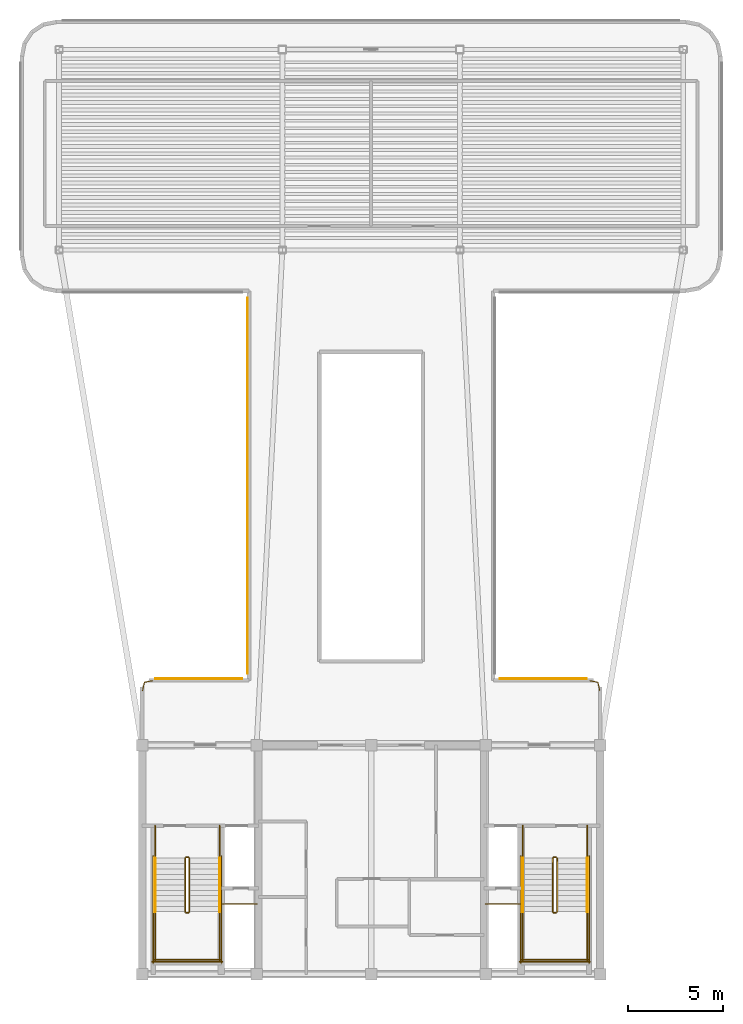
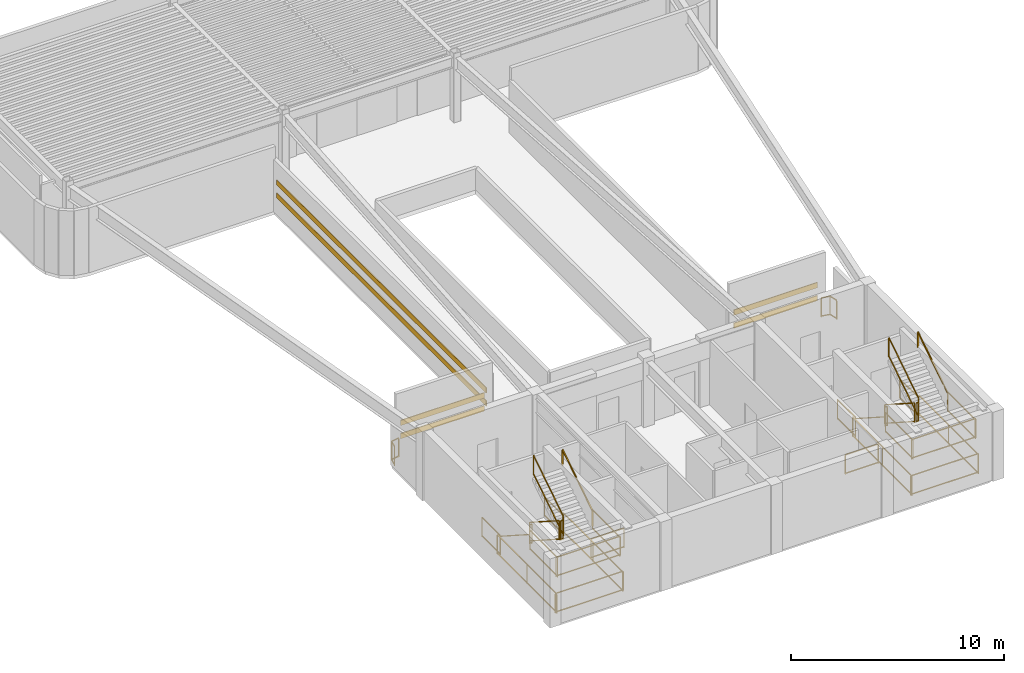
# One storey, part 5 of 6: 32 railings, 6 shading devices.
"""IFC4 building model written with IfcOpenShell, lengths in metres."""

import ifcopenshell
import ifcopenshell.guid

model = None  # the IFC model being written
_history = None  # IfcOwnerHistory: only IFC2X3 demands one
_inside = {}  # id of a spatial element -> (the spatial element, [elements in it])
_under = {}  # id of a project, library or spatial element -> (it, [spatial elements below it])
_declared = {}  # id of a project -> (the project, [libraries it declares])
_typed = {}  # id of a type object -> (the type object, [elements of that type])
_made_of = {}  # id of a material, layer set ... -> (it, [elements and type objects made of it])


def new_model(schema):
    """Start an empty IFC model of exactly this schema.

    Asked for "IFC4X3", IfcOpenShell would pick the latest addendum, in which some entities
    have other attributes; the version numbers below select the first issue.
    IFC2X3 requires an IfcOwnerHistory on every rooted entity: one is made here for all.
    """
    global model, _history
    if schema == "IFC4X3":
        model = ifcopenshell.file(schema_version=(4, 3, 0, 0))
    else:
        model = ifcopenshell.file(schema=schema)
    _inside.clear()
    _under.clear()
    _declared.clear()
    _typed.clear()
    _made_of.clear()
    _history = None
    if model.schema == "IFC2X3":
        org = make("IfcOrganization", Name="unknown")
        user = make(
            "IfcPersonAndOrganization",
            ThePerson=make("IfcPerson", FamilyName="unknown"),
            TheOrganization=org,
        )
        app = make(
            "IfcApplication",
            ApplicationDeveloper=org,
            Version="unknown",
            ApplicationFullName="unknown",
            ApplicationIdentifier="unknown",
        )
        _history = make(
            "IfcOwnerHistory",
            OwningUser=user,
            OwningApplication=app,
            ChangeAction="ADDED",
            CreationDate=0,
        )
    return model


def make(cls, **values):
    """One entity of the class cls with the attributes given. An attribute that is None is left unset."""
    return model.create_entity(
        cls, **{name: value for name, value in values.items() if value is not None}
    )


def rooted(cls, **values):
    """An entity with a GlobalId (a new one), such as an element, a storey or a relation."""
    return make(cls, GlobalId=ifcopenshell.guid.new(), OwnerHistory=_history, **values)


def si_unit(unit_type, name, prefix=None):
    """IfcSIUnit, for example si_unit("LENGTHUNIT", "METRE", prefix="MILLI")."""
    return make("IfcSIUnit", UnitType=unit_type, Prefix=prefix, Name=name)


def assignment(units):
    """IfcUnitAssignment: the units of a project."""
    return None if units is None else make("IfcUnitAssignment", Units=units)


def point(xyz):
    """IfcCartesianPoint."""
    return None if xyz is None else make("IfcCartesianPoint", Coordinates=xyz)


def direction(xyz):
    """IfcDirection."""
    return None if xyz is None else make("IfcDirection", DirectionRatios=xyz)


def frame(location, z_axis=None, x_axis=None):
    """IfcAxis2Placement3D, a coordinate frame: its origin and axes. An axis left out is left unset."""
    return make(
        "IfcAxis2Placement3D",
        Location=point(location),
        Axis=direction(z_axis),
        RefDirection=direction(x_axis),
    )


def frame_2d(location, x_axis=None):
    """IfcAxis2Placement2D, a coordinate frame in the plane: its origin and x axis."""
    return make(
        "IfcAxis2Placement2D", Location=point(location), RefDirection=direction(x_axis)
    )


def origin():
    """The frame at (0, 0, 0) with its axes left unset."""
    return frame((0.0, 0.0, 0.0))


def origin_2d():
    """The frame at (0, 0) in the plane with its x axis left unset."""
    return frame_2d((0.0, 0.0))


def place(relative_to, where):
    """IfcLocalPlacement: puts the frame where relative to a parent placement (None: the world)."""
    return make(
        "IfcLocalPlacement", PlacementRelTo=relative_to, RelativePlacement=where
    )


def context(
    kind, dimensions, precision=None, world=None, true_north=None, identifier=None
):
    """IfcGeometricRepresentationContext, for example the 3D "Model" context."""
    return make(
        "IfcGeometricRepresentationContext",
        ContextIdentifier=identifier,
        ContextType=kind,
        CoordinateSpaceDimension=dimensions,
        Precision=precision,
        WorldCoordinateSystem=world,
        TrueNorth=true_north,
    )


def subcontext(parent, identifier, kind, view, scale=None):
    """IfcGeometricRepresentationSubContext, for example "Body" below "Model"."""
    return make(
        "IfcGeometricRepresentationSubContext",
        ContextIdentifier=identifier,
        ContextType=kind,
        ParentContext=parent,
        TargetScale=scale,
        TargetView=view,
    )


def project(units=None, contexts=None):
    """IfcProject with its units and contexts."""
    return rooted(
        "IfcProject",
        Name="project",
        RepresentationContexts=contexts,
        UnitsInContext=assignment(units),
    )


def spatial(cls, under=None, at=None, **own):
    """A site, building, storey or space (cls), placed at a placement, below another one or the project."""
    s = rooted(cls, ObjectPlacement=at, **own)
    if under is not None:
        _under.setdefault(under.id(), (under, []))[1].append(s)
    return s


def profile(cls, at=None, kind="AREA", **sizes):
    """A parametric profile (cls). Its sizes go by their IFC names, for example OverallWidth=200.0."""
    return make(cls, ProfileType=kind, Position=at, **sizes)


def rectangle(**sizes):
    """IfcRectangleProfileDef."""
    return profile("IfcRectangleProfileDef", **sizes)


def extrude(swept, where, along, depth):
    """IfcExtrudedAreaSolid: the profile swept, set in the frame where, extruded along a direction by depth."""
    return make(
        "IfcExtrudedAreaSolid",
        SweptArea=swept,
        Position=where,
        ExtrudedDirection=direction(along),
        Depth=depth,
    )


def shape(context_of_items, identifier, shape_type, items):
    """IfcShapeRepresentation: the items that make up one representation, for example the "Body"."""
    return make(
        "IfcShapeRepresentation",
        ContextOfItems=context_of_items,
        RepresentationIdentifier=identifier,
        RepresentationType=shape_type,
        Items=items,
    )


def source(mapping_origin, context_of_items, identifier, shape_type, items):
    """IfcRepresentationMap: a shape defined once, which mapped items show again and again."""
    return make(
        "IfcRepresentationMap",
        MappingOrigin=mapping_origin,
        MappedRepresentation=shape(context_of_items, identifier, shape_type, items),
    )


def transform(
    local_origin,
    x_axis=None,
    y_axis=None,
    z_axis=None,
    scale=None,
    scale2=None,
    scale3=None,
    uniform=True,
):
    """IfcCartesianTransformationOperator3D, or its non-uniform kind. x_axis, y_axis, z_axis: its Axis1, 2, 3."""
    if uniform:
        return make(
            "IfcCartesianTransformationOperator3D",
            Axis1=direction(x_axis),
            Axis2=direction(y_axis),
            LocalOrigin=point(local_origin),
            Scale=scale,
            Axis3=direction(z_axis),
        )
    return make(
        "IfcCartesianTransformationOperator3DnonUniform",
        Axis1=direction(x_axis),
        Axis2=direction(y_axis),
        LocalOrigin=point(local_origin),
        Scale=scale,
        Axis3=direction(z_axis),
        Scale2=scale2,
        Scale3=scale3,
    )


def mapped(mapping_source, mapping_target):
    """IfcMappedItem: shows the shape of a source again, moved by a transform."""
    return make(
        "IfcMappedItem", MappingSource=mapping_source, MappingTarget=mapping_target
    )


def material(Name=None, Category=None):
    """IfcMaterial."""
    return make("IfcMaterial", Name=Name, Category=Category)


def layer(
    of_material, thickness, ventilated=None, Name=None, Category=None, Priority=None
):
    """IfcMaterialLayer: one layer of a wall or slab, of a material (None: an air gap)."""
    return make(
        "IfcMaterialLayer",
        Material=of_material,
        LayerThickness=thickness,
        IsVentilated=ventilated,
        Name=Name,
        Category=Category,
        Priority=Priority,
    )


def layer_set(layers, Name=None):
    """IfcMaterialLayerSet."""
    return make("IfcMaterialLayerSet", MaterialLayers=layers, LayerSetName=Name)


def material_profile(
    of_material, cross_section, Name=None, Category=None, Priority=None
):
    """IfcMaterialProfile: a cross section and its material."""
    return make(
        "IfcMaterialProfile",
        Name=Name,
        Material=of_material,
        Profile=cross_section,
        Priority=Priority,
        Category=Category,
    )


def profile_set(profiles, Name=None, composite=None):
    """IfcMaterialProfileSet."""
    return make(
        "IfcMaterialProfileSet",
        Name=Name,
        MaterialProfiles=profiles,
        CompositeProfile=composite,
    )


def made_of(thing, what):
    """Note that an element or type object is made of a material, layer set ...; save() writes the relation."""
    if what is not None:
        _made_of.setdefault(what.id(), (what, []))[1].append(thing)
    return thing


def type_object(cls, material=None, **own):
    """A type object (cls), such as IfcWallType, which elements share."""
    return made_of(rooted(cls, **own), material)


def element(
    cls,
    number,
    at=None,
    inside=None,
    cuts=None,
    type_object=None,
    material=None,
    context=None,
    identifier="Body",
    shape_type=None,
    held_by="IfcProductDefinitionShape",
    body=None,
    shapes=None,
    **own,
):
    """One element of the class cls, such as IfcWall. Its Tag is "e" and its number.

    at: its placement. inside: the storey or other place that contains it. cuts: it is an
    opening in that element (IfcRelVoidsElement). A single representation is given by context,
    identifier, shape_type and body (its items); several are given by shapes. held_by: the class
    of the entity that holds the representations. save() writes the other relations.
    """
    e = rooted(cls, Tag="e%d" % number, ObjectPlacement=at, **own)
    if body is not None:
        shapes = [shape(context, identifier, shape_type, body)]
    if shapes is not None:
        e.Representation = make(held_by, Representations=shapes)
    if inside is not None:
        _inside.setdefault(inside.id(), (inside, []))[1].append(e)
    if cuts is not None:
        rooted(
            "IfcRelVoidsElement", RelatingBuildingElement=cuts, RelatedOpeningElement=e
        )
    if type_object is not None:
        _typed.setdefault(type_object.id(), (type_object, []))[1].append(e)
    return made_of(e, material)


def aggregate(whole, parts):
    """IfcRelAggregates: a whole, such as a stair, and the parts it consists of."""
    return rooted("IfcRelAggregates", RelatingObject=whole, RelatedObjects=parts)


def save(model, path):
    """Write the relations noted so far, then the file.

    IfcRelAggregates (storeys below a building ...), IfcRelContainedInSpatialStructure (elements
    in a storey), IfcRelDefinesByType, IfcRelAssociatesMaterial and IfcRelDeclares: one each for
    every whole, place, type object, material and project.
    """
    for whole, parts in _under.values():
        aggregate(whole, parts)
    for where, things in _inside.values():
        rooted(
            "IfcRelContainedInSpatialStructure",
            RelatedElements=things,
            RelatingStructure=where,
        )
    for kind, things in _typed.values():
        rooted("IfcRelDefinesByType", RelatedObjects=things, RelatingType=kind)
    for what, things in _made_of.values():
        rooted("IfcRelAssociatesMaterial", RelatedObjects=things, RelatingMaterial=what)
    for by, libraries in _declared.values():
        rooted("IfcRelDeclares", RelatingContext=by, RelatedDefinitions=libraries)
    model.write(path)


model = new_model("IFC4")

# Units and contexts
model_context = context("Model", 3, precision=1e-05, world=origin(), true_north=direction((0.0, 1.0)))
body_context = subcontext(model_context, "Body", "Model", "MODEL_VIEW")
ifc_project = project(units=[si_unit("LENGTHUNIT", "METRE"), si_unit("AREAUNIT", "SQUARE_METRE"), si_unit("VOLUMEUNIT", "CUBIC_METRE"), si_unit("PLANEANGLEUNIT", "RADIAN"), si_unit("MASSUNIT", "GRAM", prefix="KILO")], contexts=[model_context])

# Site, building, storey
site_placement = place(None, origin())
site = spatial("IfcSite", under=ifc_project, at=site_placement, CompositionType="ELEMENT")
building_placement = place(site_placement, origin())
building = spatial("IfcBuilding", under=site, at=building_placement, Name="Brelvock Crest Care Tower", CompositionType="ELEMENT")
storey_placement = place(building_placement, frame((0.0, 0.0, 299.8798828125)))
storey = spatial("IfcBuildingStorey", under=building, at=storey_placement, Name="L76", CompositionType="ELEMENT", Elevation=299.8798828125)

# Railings
ifc_material_1 = material(Name="Steel Grade 350", Category="steel")
ifc_layer_1 = layer(ifc_material_1, 0.06005859375, Name="RL-GRD1")
ifc_layer_set_1 = layer_set([ifc_layer_1], Name="Steel Grade 350")
railing_type_1 = type_object("IfcRailingType", Name="RL-GRD1", PredefinedType="GUARDRAIL", material=ifc_layer_set_1)
railing_1_placement = place(storey_placement, frame((24.02001953125, 20.85009765625, 0.004150390625)))
element("IfcRailing", 1, at=railing_1_placement, inside=storey, type_object=railing_type_1, Name="L76 West Throat Corner Guard", PredefinedType="GUARDRAIL", context=body_context, shape_type="SweptSolid", body=[
    extrude(rectangle(XDim=0.048095703125, YDim=0.048095703125, at=origin_2d()), frame((0.00048828125, 0.001953125, 1.09619140625), z_axis=(0.21715477266, 0.976137185395, 0.0), x_axis=(-0.976137185395, 0.21715477266, 0.0)), (0.0, 0.0, 1.0), 0.45703125),
    extrude(rectangle(XDim=0.048095703125, YDim=0.048095703125, at=origin_2d()), frame((0.00048828125, 0.001953125, 0.054931640625), z_axis=(0.21715477266, 0.976137185395, 0.0), x_axis=(-0.976137185395, 0.21715477266, 0.0)), (0.0, 0.0, 1.0), 0.45703125),
    extrude(rectangle(XDim=0.048095703125, YDim=0.048095703125, at=origin_2d()), frame((0.10205078125, 0.4501953125, 1.09619140625), z_axis=(0.983193031384, 0.182569063749, 0.0), x_axis=(-0.182569063749, 0.983193031384, 0.0)), (0.0, 0.0, 1.0), 0.433349609375),
    extrude(rectangle(XDim=0.048095703125, YDim=0.048095703125, at=origin_2d()), frame((0.10205078125, 0.4501953125, 0.054931640625), z_axis=(0.983193031384, 0.182569063749, 0.0), x_axis=(-0.182569063749, 0.983193031384, 0.0)), (0.0, 0.0, 1.0), 0.433349609375),
    extrude(rectangle(XDim=0.0419921875, YDim=0.0419921875, at=origin_2d()), origin(), (0.0, 0.0, 1.0), 1.070068359375),
    extrude(rectangle(XDim=0.0419921875, YDim=0.0419921875, at=origin_2d()), frame((0.10009765625, 0.449951171875, 0.0)), (0.0, 0.0, 1.0), 1.070068359375),
    extrude(rectangle(XDim=0.0419921875, YDim=0.0419921875, at=origin_2d()), frame((0.530029296875, 0.52978515625, 0.0)), (0.0, 0.0, 1.0), 1.070068359375),
])
railing_2_placement = place(storey_placement, frame((47.449951171875, 21.3798828125, 0.004150390625)))
element("IfcRailing", 2, at=railing_2_placement, inside=storey, type_object=railing_type_1, Name="L76 East Throat Corner Guard", PredefinedType="GUARDRAIL", context=body_context, shape_type="SweptSolid", body=[
    extrude(rectangle(XDim=0.048095703125, YDim=0.048095703125, at=origin_2d()), frame((0.001953125, -0.000244140625, 1.09619140625), z_axis=(0.983193031384, -0.182569063749, 0.0), x_axis=(0.182569063749, 0.983193031384, 0.0)), (0.0, 0.0, 1.0), 0.433349609375),
    extrude(rectangle(XDim=0.048095703125, YDim=0.048095703125, at=origin_2d()), frame((0.001953125, -0.000244140625, 0.054931640625), z_axis=(0.983193031384, -0.182569063749, 0.0), x_axis=(0.182569063749, 0.983193031384, 0.0)), (0.0, 0.0, 1.0), 0.433349609375),
    extrude(rectangle(XDim=0.048095703125, YDim=0.048095703125, at=origin_2d()), frame((0.430419921875, -0.081787109375, 1.09619140625), z_axis=(0.21715477266, -0.976137185395, 0.0), x_axis=(0.976137185395, 0.21715477266, 0.0)), (0.0, 0.0, 1.0), 0.45703125),
    extrude(rectangle(XDim=0.048095703125, YDim=0.048095703125, at=origin_2d()), frame((0.430419921875, -0.081787109375, 0.054931640625), z_axis=(0.21715477266, -0.976137185395, 0.0), x_axis=(0.976137185395, 0.21715477266, 0.0)), (0.0, 0.0, 1.0), 0.45703125),
    extrude(rectangle(XDim=0.0419921875, YDim=0.0419921875, at=origin_2d()), origin(), (0.0, 0.0, 1.0), 1.070068359375),
    extrude(rectangle(XDim=0.0419921875, YDim=0.0419921875, at=origin_2d()), frame((0.429931640625, -0.079833984375, 0.0)), (0.0, 0.0, 1.0), 1.070068359375),
    extrude(rectangle(XDim=0.0419921875, YDim=0.0419921875, at=origin_2d()), frame((0.530029296875, -0.52978515625, 0.0)), (0.0, 0.0, 1.0), 1.070068359375),
])
ifc_layer_2 = layer(ifc_material_1, 0.050048828125, Name="RL-STG1")
ifc_layer_set_2 = layer_set([ifc_layer_2], Name="Steel Grade 350")
railing_type_2 = type_object("IfcRailingType", Name="RL-STG1", PredefinedType="GUARDRAIL", material=ifc_layer_set_2)
railing_3_placement = place(storey_placement, frame((26.260009765625, 12.080078125, 0.18017578125)))
element("IfcRailing", 3, at=railing_3_placement, inside=storey, type_object=railing_type_2, Name="L76 ST-1 stair guard 1", PredefinedType="GUARDRAIL", context=body_context, shape_type="SweptSolid", body=[
    extrude(rectangle(XDim=0.048095703125, YDim=0.048095703125, at=origin_2d()), frame((0.0, -0.001708984375, 1.116943359375), z_axis=(0.0, -0.841176092368, 0.540761298198), x_axis=(1.0, 0.0, 0.0)), (0.0, 0.0, 1.0), 3.32470703125),
    extrude(rectangle(XDim=0.048095703125, YDim=0.048095703125, at=origin_2d()), frame((0.0, -0.001708984375, 0.05615234375), z_axis=(0.0, -0.841176092368, 0.540761298198), x_axis=(1.0, 0.0, 0.0)), (0.0, 0.0, 1.0), 3.32470703125),
    extrude(rectangle(XDim=0.0419921875, YDim=0.0419921875, at=origin_2d()), origin(), (0.0, 0.0, 1.0), 1.08984375),
    extrude(rectangle(XDim=0.0419921875, YDim=0.0419921875, at=origin_2d()), frame((0.0, -2.800048828125, 1.800048828125)), (0.0, 0.0, 1.0), 1.08984375),
])
railing_4_placement = place(storey_placement, frame((26.31005859375, 9.22998046875, 1.980224609375)))
element("IfcRailing", 4, at=railing_4_placement, inside=storey, type_object=railing_type_2, Name="L76 ST-1 stair guard 2", PredefinedType="GUARDRAIL", context=body_context, shape_type="SweptSolid", body=[
    extrude(rectangle(XDim=0.048095703125, YDim=0.048095703125, at=origin_2d()), frame((0.001953125, 0.0, 1.11572265625), z_axis=(1.0, 0.0, 0.0), x_axis=(0.0, 1.0, 0.0)), (0.0, 0.0, 1.0), 0.115966796875),
    extrude(rectangle(XDim=0.048095703125, YDim=0.048095703125, at=origin_2d()), frame((0.001953125, 0.0, 0.054931640625), z_axis=(1.0, 0.0, 0.0), x_axis=(0.0, 1.0, 0.0)), (0.0, 0.0, 1.0), 0.115966796875),
    extrude(rectangle(XDim=0.0419921875, YDim=0.0419921875, at=origin_2d()), origin(), (0.0, 0.0, 1.0), 1.08984375),
    extrude(rectangle(XDim=0.0419921875, YDim=0.0419921875, at=origin_2d()), frame((0.119873046875, 0.0, 0.0)), (0.0, 0.0, 1.0), 1.08984375),
])
for number, where, name in (
    (5, (24.679931640625, 9.280029296875, 1.980224609375), "L76 ST-1 stair guard 3"),
    (6, (28.06005859375, 9.280029296875, 1.980224609375), "L76 ST-1 stair guard 4"),
):
    element("IfcRailing", number, at=place(storey_placement, frame(where)), inside=storey, type_object=railing_type_2, Name=name, PredefinedType="GUARDRAIL", context=body_context, shape_type="SweptSolid", body=[
        extrude(rectangle(XDim=0.048095703125, YDim=0.048095703125, at=origin_2d()), frame((0.0, -0.001953125, 1.11572265625), z_axis=(0.0, -1.0, 0.0), x_axis=(1.0, 0.0, 0.0)), (0.0, 0.0, 1.0), 2.576171875),
        extrude(rectangle(XDim=0.048095703125, YDim=0.048095703125, at=origin_2d()), frame((0.0, -0.001953125, 0.054931640625), z_axis=(0.0, -1.0, 0.0), x_axis=(1.0, 0.0, 0.0)), (0.0, 0.0, 1.0), 2.576171875),
        extrude(rectangle(XDim=0.0419921875, YDim=0.0419921875, at=origin_2d()), origin(), (0.0, 0.0, 1.0), 1.08984375),
        extrude(rectangle(XDim=0.0419921875, YDim=0.0419921875, at=origin_2d()), frame((0.0, -2.580078125, 0.0)), (0.0, 0.0, 1.0), 1.08984375),
    ])
railing_5_placement = place(storey_placement, frame((24.6298828125, 6.75, 1.980224609375)))
element("IfcRailing", 7, at=railing_5_placement, inside=storey, type_object=railing_type_2, Name="L76 ST-1 stair guard 5", PredefinedType="GUARDRAIL", context=body_context, shape_type="SweptSolid", body=[
    extrude(rectangle(XDim=0.048095703125, YDim=0.048095703125, at=origin_2d()), frame((0.001953125, 0.0, 1.11572265625), z_axis=(1.0, 0.0, 0.0), x_axis=(0.0, 1.0, 0.0)), (0.0, 0.0, 1.0), 3.476318359375),
    extrude(rectangle(XDim=0.048095703125, YDim=0.048095703125, at=origin_2d()), frame((0.001953125, 0.0, 0.054931640625), z_axis=(1.0, 0.0, 0.0), x_axis=(0.0, 1.0, 0.0)), (0.0, 0.0, 1.0), 3.476318359375),
    extrude(rectangle(XDim=0.0419921875, YDim=0.0419921875, at=origin_2d()), origin(), (0.0, 0.0, 1.0), 1.08984375),
    extrude(rectangle(XDim=0.0419921875, YDim=0.0419921875, at=origin_2d()), frame((3.480224609375, 0.0, 0.0)), (0.0, 0.0, 1.0), 1.08984375),
])
railing_6_placement = place(storey_placement, frame((26.47998046875, 9.280029296875, 2.16015625)))
element("IfcRailing", 8, at=railing_6_placement, inside=storey, type_object=railing_type_2, Name="L76 ST-1 stair guard 6", PredefinedType="GUARDRAIL", context=body_context, shape_type="SweptSolid", body=[
    extrude(rectangle(XDim=0.048095703125, YDim=0.048095703125, at=origin_2d()), frame((0.0, 0.001708984375, 1.116943359375), z_axis=(0.0, 0.841176092368, 0.540761298198), x_axis=(-1.0, 0.0, 0.0)), (0.0, 0.0, 1.0), 3.32470703125),
    extrude(rectangle(XDim=0.048095703125, YDim=0.048095703125, at=origin_2d()), frame((0.0, 0.001708984375, 0.05615234375), z_axis=(0.0, 0.841176092368, 0.540761298198), x_axis=(-1.0, 0.0, 0.0)), (0.0, 0.0, 1.0), 3.32470703125),
    extrude(rectangle(XDim=0.0419921875, YDim=0.0419921875, at=origin_2d()), origin(), (0.0, 0.0, 1.0), 1.08984375),
    extrude(rectangle(XDim=0.0419921875, YDim=0.0419921875, at=origin_2d()), frame((0.0, 2.800048828125, 1.800048828125)), (0.0, 0.0, 1.0), 1.08984375),
])
railing_7_placement = place(storey_placement, frame((26.31005859375, 12.1298828125, 0.0)))
element("IfcRailing", 9, at=railing_7_placement, inside=storey, type_object=railing_type_2, Name="L76 ST-1 stair guard 7", PredefinedType="GUARDRAIL", context=body_context, shape_type="SweptSolid", body=[
    extrude(rectangle(XDim=0.048095703125, YDim=0.048095703125, at=origin_2d()), frame((0.001953125, 0.0, 1.11572265625), z_axis=(1.0, 0.0, 0.0), x_axis=(0.0, 1.0, 0.0)), (0.0, 0.0, 1.0), 0.115966796875),
    extrude(rectangle(XDim=0.048095703125, YDim=0.048095703125, at=origin_2d()), frame((0.001953125, 0.0, 0.054931640625), z_axis=(1.0, 0.0, 0.0), x_axis=(0.0, 1.0, 0.0)), (0.0, 0.0, 1.0), 0.115966796875),
    extrude(rectangle(XDim=0.0419921875, YDim=0.0419921875, at=origin_2d()), origin(), (0.0, 0.0, 1.0), 1.08984375),
    extrude(rectangle(XDim=0.0419921875, YDim=0.0419921875, at=origin_2d()), frame((0.119873046875, 0.0, 0.0)), (0.0, 0.0, 1.0), 1.08984375),
])
for number, where, name in (
    (10, (24.679931640625, 13.780029296875, 0.0), "L76 ST-1 stair guard 8"),
    (11, (28.06005859375, 13.780029296875, 0.0), "L76 ST-1 stair guard 9"),
):
    element("IfcRailing", number, at=place(storey_placement, frame(where)), inside=storey, type_object=railing_type_2, Name=name, PredefinedType="GUARDRAIL", context=body_context, shape_type="SweptSolid", body=[
        extrude(rectangle(XDim=0.048095703125, YDim=0.048095703125, at=origin_2d()), frame((0.0, -0.001953125, 1.11572265625), z_axis=(0.0, -1.0, 0.0), x_axis=(1.0, 0.0, 0.0)), (0.0, 0.0, 1.0), 1.696044921875),
        extrude(rectangle(XDim=0.048095703125, YDim=0.048095703125, at=origin_2d()), frame((0.0, -0.001953125, 0.054931640625), z_axis=(0.0, -1.0, 0.0), x_axis=(1.0, 0.0, 0.0)), (0.0, 0.0, 1.0), 1.696044921875),
        extrude(rectangle(XDim=0.0419921875, YDim=0.0419921875, at=origin_2d()), origin(), (0.0, 0.0, 1.0), 1.08984375),
        extrude(rectangle(XDim=0.0419921875, YDim=0.0419921875, at=origin_2d()), frame((0.0, -1.699951171875, 0.0)), (0.0, 0.0, 1.0), 1.08984375),
    ])
for number, where, name in (
    (12, (24.580078125, 12.179931640625, 0.0), "L76 ST-1 stair guard 10"),
    (13, (28.159912109375, 12.179931640625, 0.0), "L76 ST-1 stair guard 11"),
):
    element("IfcRailing", number, at=place(storey_placement, frame(where)), inside=storey, type_object=railing_type_2, Name=name, PredefinedType="GUARDRAIL", context=body_context, shape_type="SweptSolid", body=[
        extrude(rectangle(XDim=0.048095703125, YDim=0.048095703125, at=origin_2d()), frame((0.0, -0.001953125, 1.11572265625), z_axis=(0.0, -1.0, 0.0), x_axis=(1.0, 0.0, 0.0)), (0.0, 0.0, 1.0), 5.575927734375),
        extrude(rectangle(XDim=0.048095703125, YDim=0.048095703125, at=origin_2d()), frame((0.0, -0.001953125, 0.054931640625), z_axis=(0.0, -1.0, 0.0), x_axis=(1.0, 0.0, 0.0)), (0.0, 0.0, 1.0), 5.575927734375),
        extrude(rectangle(XDim=0.0419921875, YDim=0.0419921875, at=origin_2d()), origin(), (0.0, 0.0, 1.0), 1.08984375),
        extrude(rectangle(XDim=0.0419921875, YDim=0.0419921875, at=origin_2d()), frame((0.0, -2.7900390625, 0.0)), (0.0, 0.0, 1.0), 1.08984375),
        extrude(rectangle(XDim=0.0419921875, YDim=0.0419921875, at=origin_2d()), frame((0.0, -5.579833984375, 0.0)), (0.0, 0.0, 1.0), 1.08984375),
    ])
railing_8_placement = place(storey_placement, frame((24.530029296875, 6.64990234375, 0.0)))
element("IfcRailing", 14, at=railing_8_placement, inside=storey, type_object=railing_type_2, Name="L76 ST-1 stair guard 12", PredefinedType="GUARDRAIL", context=body_context, shape_type="SweptSolid", body=[
    extrude(rectangle(XDim=0.048095703125, YDim=0.048095703125, at=origin_2d()), frame((0.001953125, 0.0, 1.11572265625), z_axis=(1.0, 0.0, 0.0), x_axis=(0.0, 1.0, 0.0)), (0.0, 0.0, 1.0), 3.676025390625),
    extrude(rectangle(XDim=0.048095703125, YDim=0.048095703125, at=origin_2d()), frame((0.001953125, 0.0, 0.054931640625), z_axis=(1.0, 0.0, 0.0), x_axis=(0.0, 1.0, 0.0)), (0.0, 0.0, 1.0), 3.676025390625),
    extrude(rectangle(XDim=0.0419921875, YDim=0.0419921875, at=origin_2d()), origin(), (0.0, 0.0, 1.0), 1.08984375),
    extrude(rectangle(XDim=0.0419921875, YDim=0.0419921875, at=origin_2d()), frame((3.679931640625, 0.0, 0.0)), (0.0, 0.0, 1.0), 1.08984375),
])
railing_9_placement = place(storey_placement, frame((45.52001953125, 12.080078125, 0.18017578125)))
element("IfcRailing", 15, at=railing_9_placement, inside=storey, type_object=railing_type_2, Name="L76 ST-2 stair guard 1", PredefinedType="GUARDRAIL", context=body_context, shape_type="SweptSolid", body=[
    extrude(rectangle(XDim=0.048095703125, YDim=0.048095703125, at=origin_2d()), frame((0.0, -0.001708984375, 1.116943359375), z_axis=(0.0, -0.841176092368, 0.540761298198), x_axis=(1.0, 0.0, 0.0)), (0.0, 0.0, 1.0), 3.32470703125),
    extrude(rectangle(XDim=0.048095703125, YDim=0.048095703125, at=origin_2d()), frame((0.0, -0.001708984375, 0.05615234375), z_axis=(0.0, -0.841176092368, 0.540761298198), x_axis=(1.0, 0.0, 0.0)), (0.0, 0.0, 1.0), 3.32470703125),
    extrude(rectangle(XDim=0.0419921875, YDim=0.0419921875, at=origin_2d()), origin(), (0.0, 0.0, 1.0), 1.08984375),
    extrude(rectangle(XDim=0.0419921875, YDim=0.0419921875, at=origin_2d()), frame((0.0, -2.800048828125, 1.800048828125)), (0.0, 0.0, 1.0), 1.08984375),
])
railing_10_placement = place(storey_placement, frame((45.570068359375, 9.22998046875, 1.980224609375)))
element("IfcRailing", 16, at=railing_10_placement, inside=storey, type_object=railing_type_2, Name="L76 ST-2 stair guard 2", PredefinedType="GUARDRAIL", context=body_context, shape_type="SweptSolid", body=[
    extrude(rectangle(XDim=0.048095703125, YDim=0.048095703125, at=origin_2d()), frame((0.001953125, 0.0, 1.11572265625), z_axis=(1.0, 0.0, 0.0), x_axis=(0.0, 1.0, 0.0)), (0.0, 0.0, 1.0), 0.115966796875),
    extrude(rectangle(XDim=0.048095703125, YDim=0.048095703125, at=origin_2d()), frame((0.001953125, 0.0, 0.054931640625), z_axis=(1.0, 0.0, 0.0), x_axis=(0.0, 1.0, 0.0)), (0.0, 0.0, 1.0), 0.115966796875),
    extrude(rectangle(XDim=0.0419921875, YDim=0.0419921875, at=origin_2d()), origin(), (0.0, 0.0, 1.0), 1.08984375),
    extrude(rectangle(XDim=0.0419921875, YDim=0.0419921875, at=origin_2d()), frame((0.119873046875, 0.0, 0.0)), (0.0, 0.0, 1.0), 1.08984375),
])
for number, where, name in (
    (17, (43.93994140625, 9.280029296875, 1.980224609375), "L76 ST-2 stair guard 3"),
    (18, (47.320068359375, 9.280029296875, 1.980224609375), "L76 ST-2 stair guard 4"),
):
    element("IfcRailing", number, at=place(storey_placement, frame(where)), inside=storey, type_object=railing_type_2, Name=name, PredefinedType="GUARDRAIL", context=body_context, shape_type="SweptSolid", body=[
        extrude(rectangle(XDim=0.048095703125, YDim=0.048095703125, at=origin_2d()), frame((0.0, -0.001953125, 1.11572265625), z_axis=(0.0, -1.0, 0.0), x_axis=(1.0, 0.0, 0.0)), (0.0, 0.0, 1.0), 2.576171875),
        extrude(rectangle(XDim=0.048095703125, YDim=0.048095703125, at=origin_2d()), frame((0.0, -0.001953125, 0.054931640625), z_axis=(0.0, -1.0, 0.0), x_axis=(1.0, 0.0, 0.0)), (0.0, 0.0, 1.0), 2.576171875),
        extrude(rectangle(XDim=0.0419921875, YDim=0.0419921875, at=origin_2d()), origin(), (0.0, 0.0, 1.0), 1.08984375),
        extrude(rectangle(XDim=0.0419921875, YDim=0.0419921875, at=origin_2d()), frame((0.0, -2.580078125, 0.0)), (0.0, 0.0, 1.0), 1.08984375),
    ])
railing_11_placement = place(storey_placement, frame((43.889892578125, 6.75, 1.980224609375)))
element("IfcRailing", 19, at=railing_11_placement, inside=storey, type_object=railing_type_2, Name="L76 ST-2 stair guard 5", PredefinedType="GUARDRAIL", context=body_context, shape_type="SweptSolid", body=[
    extrude(rectangle(XDim=0.048095703125, YDim=0.048095703125, at=origin_2d()), frame((0.001953125, 0.0, 1.11572265625), z_axis=(1.0, 0.0, 0.0), x_axis=(0.0, 1.0, 0.0)), (0.0, 0.0, 1.0), 3.476318359375),
    extrude(rectangle(XDim=0.048095703125, YDim=0.048095703125, at=origin_2d()), frame((0.001953125, 0.0, 0.054931640625), z_axis=(1.0, 0.0, 0.0), x_axis=(0.0, 1.0, 0.0)), (0.0, 0.0, 1.0), 3.476318359375),
    extrude(rectangle(XDim=0.0419921875, YDim=0.0419921875, at=origin_2d()), origin(), (0.0, 0.0, 1.0), 1.08984375),
    extrude(rectangle(XDim=0.0419921875, YDim=0.0419921875, at=origin_2d()), frame((3.480224609375, 0.0, 0.0)), (0.0, 0.0, 1.0), 1.08984375),
])
railing_12_placement = place(storey_placement, frame((45.739990234375, 9.280029296875, 2.16015625)))
element("IfcRailing", 20, at=railing_12_placement, inside=storey, type_object=railing_type_2, Name="L76 ST-2 stair guard 6", PredefinedType="GUARDRAIL", context=body_context, shape_type="SweptSolid", body=[
    extrude(rectangle(XDim=0.048095703125, YDim=0.048095703125, at=origin_2d()), frame((0.0, 0.001708984375, 1.116943359375), z_axis=(0.0, 0.841176092368, 0.540761298198), x_axis=(-1.0, 0.0, 0.0)), (0.0, 0.0, 1.0), 3.32470703125),
    extrude(rectangle(XDim=0.048095703125, YDim=0.048095703125, at=origin_2d()), frame((0.0, 0.001708984375, 0.05615234375), z_axis=(0.0, 0.841176092368, 0.540761298198), x_axis=(-1.0, 0.0, 0.0)), (0.0, 0.0, 1.0), 3.32470703125),
    extrude(rectangle(XDim=0.0419921875, YDim=0.0419921875, at=origin_2d()), origin(), (0.0, 0.0, 1.0), 1.08984375),
    extrude(rectangle(XDim=0.0419921875, YDim=0.0419921875, at=origin_2d()), frame((0.0, 2.800048828125, 1.800048828125)), (0.0, 0.0, 1.0), 1.08984375),
])
railing_13_placement = place(storey_placement, frame((45.570068359375, 12.1298828125, 0.0)))
element("IfcRailing", 21, at=railing_13_placement, inside=storey, type_object=railing_type_2, Name="L76 ST-2 stair guard 7", PredefinedType="GUARDRAIL", context=body_context, shape_type="SweptSolid", body=[
    extrude(rectangle(XDim=0.048095703125, YDim=0.048095703125, at=origin_2d()), frame((0.001953125, 0.0, 1.11572265625), z_axis=(1.0, 0.0, 0.0), x_axis=(0.0, 1.0, 0.0)), (0.0, 0.0, 1.0), 0.115966796875),
    extrude(rectangle(XDim=0.048095703125, YDim=0.048095703125, at=origin_2d()), frame((0.001953125, 0.0, 0.054931640625), z_axis=(1.0, 0.0, 0.0), x_axis=(0.0, 1.0, 0.0)), (0.0, 0.0, 1.0), 0.115966796875),
    extrude(rectangle(XDim=0.0419921875, YDim=0.0419921875, at=origin_2d()), origin(), (0.0, 0.0, 1.0), 1.08984375),
    extrude(rectangle(XDim=0.0419921875, YDim=0.0419921875, at=origin_2d()), frame((0.119873046875, 0.0, 0.0)), (0.0, 0.0, 1.0), 1.08984375),
])
for number, where, name in (
    (22, (43.93994140625, 13.780029296875, 0.0), "L76 ST-2 stair guard 8"),
    (23, (47.320068359375, 13.780029296875, 0.0), "L76 ST-2 stair guard 9"),
):
    element("IfcRailing", number, at=place(storey_placement, frame(where)), inside=storey, type_object=railing_type_2, Name=name, PredefinedType="GUARDRAIL", context=body_context, shape_type="SweptSolid", body=[
        extrude(rectangle(XDim=0.048095703125, YDim=0.048095703125, at=origin_2d()), frame((0.0, -0.001953125, 1.11572265625), z_axis=(0.0, -1.0, 0.0), x_axis=(1.0, 0.0, 0.0)), (0.0, 0.0, 1.0), 1.696044921875),
        extrude(rectangle(XDim=0.048095703125, YDim=0.048095703125, at=origin_2d()), frame((0.0, -0.001953125, 0.054931640625), z_axis=(0.0, -1.0, 0.0), x_axis=(1.0, 0.0, 0.0)), (0.0, 0.0, 1.0), 1.696044921875),
        extrude(rectangle(XDim=0.0419921875, YDim=0.0419921875, at=origin_2d()), origin(), (0.0, 0.0, 1.0), 1.08984375),
        extrude(rectangle(XDim=0.0419921875, YDim=0.0419921875, at=origin_2d()), frame((0.0, -1.699951171875, 0.0)), (0.0, 0.0, 1.0), 1.08984375),
    ])
for number, where, name in (
    (24, (43.840087890625, 12.179931640625, 0.0), "L76 ST-2 stair guard 10"),
    (25, (47.419921875, 12.179931640625, 0.0), "L76 ST-2 stair guard 11"),
):
    element("IfcRailing", number, at=place(storey_placement, frame(where)), inside=storey, type_object=railing_type_2, Name=name, PredefinedType="GUARDRAIL", context=body_context, shape_type="SweptSolid", body=[
        extrude(rectangle(XDim=0.048095703125, YDim=0.048095703125, at=origin_2d()), frame((0.0, -0.001953125, 1.11572265625), z_axis=(0.0, -1.0, 0.0), x_axis=(1.0, 0.0, 0.0)), (0.0, 0.0, 1.0), 5.575927734375),
        extrude(rectangle(XDim=0.048095703125, YDim=0.048095703125, at=origin_2d()), frame((0.0, -0.001953125, 0.054931640625), z_axis=(0.0, -1.0, 0.0), x_axis=(1.0, 0.0, 0.0)), (0.0, 0.0, 1.0), 5.575927734375),
        extrude(rectangle(XDim=0.0419921875, YDim=0.0419921875, at=origin_2d()), origin(), (0.0, 0.0, 1.0), 1.08984375),
        extrude(rectangle(XDim=0.0419921875, YDim=0.0419921875, at=origin_2d()), frame((0.0, -2.7900390625, 0.0)), (0.0, 0.0, 1.0), 1.08984375),
        extrude(rectangle(XDim=0.0419921875, YDim=0.0419921875, at=origin_2d()), frame((0.0, -5.579833984375, 0.0)), (0.0, 0.0, 1.0), 1.08984375),
    ])
railing_14_placement = place(storey_placement, frame((43.7900390625, 6.64990234375, 0.0)))
element("IfcRailing", 26, at=railing_14_placement, inside=storey, type_object=railing_type_2, Name="L76 ST-2 stair guard 12", PredefinedType="GUARDRAIL", context=body_context, shape_type="SweptSolid", body=[
    extrude(rectangle(XDim=0.048095703125, YDim=0.048095703125, at=origin_2d()), frame((0.001953125, 0.0, 1.11572265625), z_axis=(1.0, 0.0, 0.0), x_axis=(0.0, 1.0, 0.0)), (0.0, 0.0, 1.0), 3.676025390625),
    extrude(rectangle(XDim=0.048095703125, YDim=0.048095703125, at=origin_2d()), frame((0.001953125, 0.0, 0.054931640625), z_axis=(1.0, 0.0, 0.0), x_axis=(0.0, 1.0, 0.0)), (0.0, 0.0, 1.0), 3.676025390625),
    extrude(rectangle(XDim=0.0419921875, YDim=0.0419921875, at=origin_2d()), origin(), (0.0, 0.0, 1.0), 1.08984375),
    extrude(rectangle(XDim=0.0419921875, YDim=0.0419921875, at=origin_2d()), frame((3.679931640625, 0.0, 0.0)), (0.0, 0.0, 1.0), 1.08984375),
])
for number, where, name in (
    (27, (28.219970703125, 9.679931640625, 0.0), "L76 Fire Riser Threshold Guard"),
    (28, (42.0, 9.679931640625, 0.0), "L76 Exhaust Riser Threshold Guard"),
):
    element("IfcRailing", number, at=place(storey_placement, frame(where)), inside=storey, type_object=railing_type_2, Name=name, PredefinedType="GUARDRAIL", context=body_context, shape_type="SweptSolid", body=[
        extrude(rectangle(XDim=0.048095703125, YDim=0.048095703125, at=origin_2d()), frame((0.001953125, 0.0, 1.11572265625), z_axis=(1.0, 0.0, 0.0), x_axis=(0.0, 1.0, 0.0)), (0.0, 0.0, 1.0), 1.776123046875),
        extrude(rectangle(XDim=0.048095703125, YDim=0.048095703125, at=origin_2d()), frame((0.001953125, 0.0, 0.054931640625), z_axis=(1.0, 0.0, 0.0), x_axis=(0.0, 1.0, 0.0)), (0.0, 0.0, 1.0), 1.776123046875),
        extrude(rectangle(XDim=0.0419921875, YDim=0.0419921875, at=origin_2d()), origin(), (0.0, 0.0, 1.0), 1.08984375),
        extrude(rectangle(XDim=0.0419921875, YDim=0.0419921875, at=origin_2d()), frame((1.780029296875, 0.0, 0.0)), (0.0, 0.0, 1.0), 1.08984375),
    ])
ifc_layer_3 = layer(ifc_material_1, 0.048095703125, Name="RL-STH1")
ifc_layer_set_3 = layer_set([ifc_layer_3], Name="Steel Grade 350")
railing_type_3 = type_object("IfcRailingType", Name="RL-STH1", PredefinedType="HANDRAIL", material=ifc_layer_set_3)
railing_15_placement = place(storey_placement, frame((24.679931640625, 12.080078125, 0.18017578125)))
element("IfcRailing", 29, at=railing_15_placement, inside=storey, type_object=railing_type_3, Name="L76 ST-1 stair handrail 1", PredefinedType="HANDRAIL", context=body_context, shape_type="SweptSolid", body=[
    extrude(rectangle(XDim=0.048095703125, YDim=0.048095703125, at=origin_2d()), frame((0.0, -0.001708984375, 0.876953125), z_axis=(0.0, -0.841176092368, 0.540761298198), x_axis=(1.0, 0.0, 0.0)), (0.0, 0.0, 1.0), 3.32470703125),
    extrude(rectangle(XDim=0.0419921875, YDim=0.0419921875, at=origin_2d()), origin(), (0.0, 0.0, 1.0), 0.849853515625),
    extrude(rectangle(XDim=0.0419921875, YDim=0.0419921875, at=origin_2d()), frame((0.0, -2.800048828125, 1.800048828125)), (0.0, 0.0, 1.0), 0.849853515625),
])
railing_16_placement = place(storey_placement, frame((28.06005859375, 9.280029296875, 2.16015625)))
element("IfcRailing", 30, at=railing_16_placement, inside=storey, type_object=railing_type_3, Name="L76 ST-1 stair handrail 2", PredefinedType="HANDRAIL", context=body_context, shape_type="SweptSolid", body=[
    extrude(rectangle(XDim=0.048095703125, YDim=0.048095703125, at=origin_2d()), frame((0.0, 0.001708984375, 0.876953125), z_axis=(0.0, 0.841176092368, 0.540761298198), x_axis=(-1.0, 0.0, 0.0)), (0.0, 0.0, 1.0), 3.32470703125),
    extrude(rectangle(XDim=0.0419921875, YDim=0.0419921875, at=origin_2d()), origin(), (0.0, 0.0, 1.0), 0.849853515625),
    extrude(rectangle(XDim=0.0419921875, YDim=0.0419921875, at=origin_2d()), frame((0.0, 2.800048828125, 1.800048828125)), (0.0, 0.0, 1.0), 0.849853515625),
])
railing_17_placement = place(storey_placement, frame((43.93994140625, 12.080078125, 0.18017578125)))
element("IfcRailing", 31, at=railing_17_placement, inside=storey, type_object=railing_type_3, Name="L76 ST-2 stair handrail 1", PredefinedType="HANDRAIL", context=body_context, shape_type="SweptSolid", body=[
    extrude(rectangle(XDim=0.048095703125, YDim=0.048095703125, at=origin_2d()), frame((0.0, -0.001708984375, 0.876953125), z_axis=(0.0, -0.841176092368, 0.540761298198), x_axis=(1.0, 0.0, 0.0)), (0.0, 0.0, 1.0), 3.32470703125),
    extrude(rectangle(XDim=0.0419921875, YDim=0.0419921875, at=origin_2d()), origin(), (0.0, 0.0, 1.0), 0.849853515625),
    extrude(rectangle(XDim=0.0419921875, YDim=0.0419921875, at=origin_2d()), frame((0.0, -2.800048828125, 1.800048828125)), (0.0, 0.0, 1.0), 0.849853515625),
])
railing_18_placement = place(storey_placement, frame((47.320068359375, 9.280029296875, 2.16015625)))
element("IfcRailing", 32, at=railing_18_placement, inside=storey, type_object=railing_type_3, Name="L76 ST-2 stair handrail 2", PredefinedType="HANDRAIL", context=body_context, shape_type="SweptSolid", body=[
    extrude(rectangle(XDim=0.048095703125, YDim=0.048095703125, at=origin_2d()), frame((0.0, 0.001708984375, 0.876953125), z_axis=(0.0, 0.841176092368, 0.540761298198), x_axis=(-1.0, 0.0, 0.0)), (0.0, 0.0, 1.0), 3.32470703125),
    extrude(rectangle(XDim=0.0419921875, YDim=0.0419921875, at=origin_2d()), origin(), (0.0, 0.0, 1.0), 0.849853515625),
    extrude(rectangle(XDim=0.0419921875, YDim=0.0419921875, at=origin_2d()), frame((0.0, 2.800048828125, 1.800048828125)), (0.0, 0.0, 1.0), 0.849853515625),
])

# Shading devices
ifc_material_2 = material(Name="Aluminium 6063-T6", Category="aluminium")
ifc_material_profile_1 = material_profile(ifc_material_2, rectangle(XDim=0.044921875, YDim=0.300048828125, at=origin_2d()), Name="LOUVRE45x300")
ifc_profile_set_1 = profile_set([ifc_material_profile_1], Name="Aluminium 6063-T6")
shading_device_type_1 = type_object("IfcShadingDeviceType", Name="SHD-SH1", PredefinedType="SHUTTER", material=ifc_profile_set_1)
shared_shape_1 = source(origin(), body_context, "Body", "SweptSolid", [
    extrude(rectangle(XDim=0.044921875, YDim=0.300048828125, at=origin_2d()), origin(), (0.0, 0.0, 1.0), 4.550048828125),
])
for number, where, z_axis, x_axis, name in (
    (33, (24.699951171875, 21.47509765625, 1.10009765625), (1.0, 0.0, 0.0), (0.0, 1.0, 0.0), "L76 Crown Acoustic Louvre 11-1"),
    (34, (24.699951171875, 21.47509765625, 1.85009765625), (1.0, 0.0, 0.0), (0.0, 1.0, 0.0), "L76 Crown Acoustic Louvre 11-2"),
    (35, (42.75, 21.47509765625, 1.10009765625), (1.0, 0.0, 0.0), (0.0, 1.0, 0.0), "L76 Crown Acoustic Louvre 35-1"),
    (36, (42.75, 21.47509765625, 1.85009765625), (1.0, 0.0, 0.0), (0.0, 1.0, 0.0), "L76 Crown Acoustic Louvre 35-2"),
):
    element("IfcShadingDevice", number, at=place(storey_placement, frame(where, z_axis=z_axis, x_axis=x_axis)), inside=storey, type_object=shading_device_type_1, Name=name, PredefinedType="SHUTTER", context=body_context, shape_type="MappedRepresentation", body=[
        mapped(shared_shape_1, transform((0.0, 0.0, 0.0), x_axis=(1.0, 0.0, 0.0), y_axis=(0.0, 1.0, 0.0), z_axis=(0.0, 0.0, 1.0), scale=1.0)),
    ])
ifc_material_profile_2 = material_profile(ifc_material_2, rectangle(XDim=0.044921875, YDim=0.300048828125, at=origin_2d()), Name="LOUVRE45x300")
ifc_profile_set_2 = profile_set([ifc_material_profile_2], Name="Aluminium 6063-T6")
shading_device_type_2 = type_object("IfcShadingDeviceType", Name="SHD-LV1", PredefinedType="JALOUSIE", material=ifc_profile_set_2)
shared_shape_2 = source(origin(), body_context, "Body", "SweptSolid", [
    extrude(rectangle(XDim=0.044921875, YDim=0.300048828125, at=origin_2d()), origin(), (0.0, 0.0, 1.0), 19.699951171875),
])
for number, where, z_axis, x_axis, name in (
    (37, (29.52490234375, 21.75, 1.10009765625), (0.0, 1.0, 0.0), (-1.0, 0.0, 0.0), "L76 Crown Acoustic Louvre 12-1"),
    (38, (29.52490234375, 21.75, 1.85009765625), (0.0, 1.0, 0.0), (-1.0, 0.0, 0.0), "L76 Crown Acoustic Louvre 12-2"),
):
    element("IfcShadingDevice", number, at=place(storey_placement, frame(where, z_axis=z_axis, x_axis=x_axis)), inside=storey, type_object=shading_device_type_2, Name=name, PredefinedType="JALOUSIE", context=body_context, shape_type="MappedRepresentation", body=[
        mapped(shared_shape_2, transform((0.0, 0.0, 0.0), x_axis=(1.0, 0.0, 0.0), y_axis=(0.0, 1.0, 0.0), z_axis=(0.0, 0.0, 1.0), scale=1.0)),
    ])

save(model, "model.ifc")
